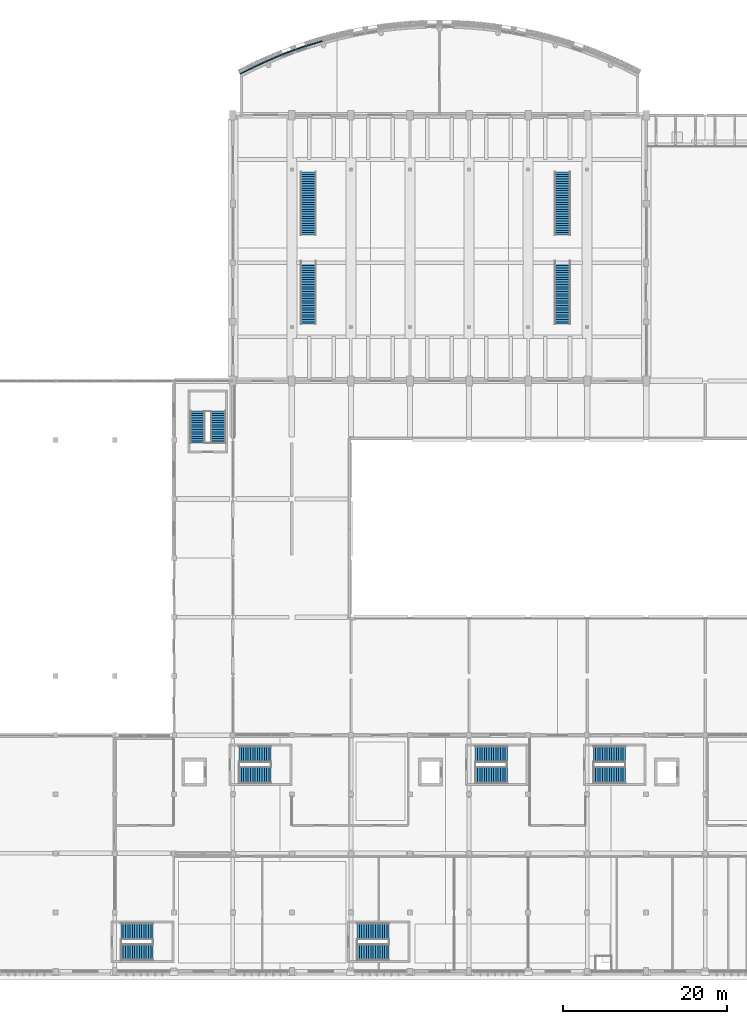
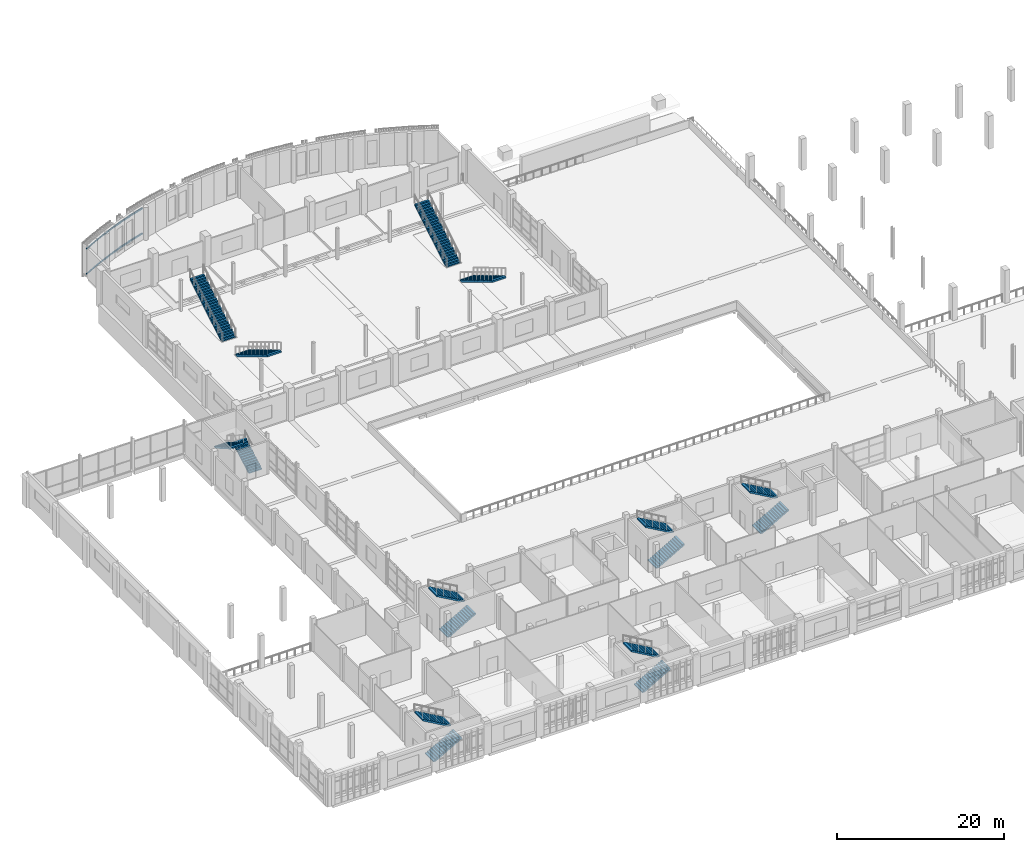
# One storey, part 65 of 82: 16 stair flights, 12 discrete accessories, 10 elements without a shape of their own.
"""IFC4 building model written with IfcOpenShell, lengths in metres."""

from ifc_helpers import new_model, si_unit, direction, frame, origin, place, context, subcontext, project, spatial, polyline, rectangle, outline, extrude, material, type_object, element, aggregate, save


model = new_model("IFC4")

# Units and contexts
model_context = context("Model", 3, precision=1e-05, world=origin(), true_north=direction((0.0, 1.0)))
body_context = subcontext(model_context, "Body", "Model", "MODEL_VIEW")
ifc_project = project(units=[si_unit("LENGTHUNIT", "METRE"), si_unit("AREAUNIT", "SQUARE_METRE"), si_unit("VOLUMEUNIT", "CUBIC_METRE"), si_unit("PLANEANGLEUNIT", "RADIAN"), si_unit("MASSUNIT", "GRAM", prefix="KILO")], contexts=[model_context])

# Site, building, storey
site_placement = place(None, origin())
site = spatial("IfcSite", under=ifc_project, at=site_placement, CompositionType="ELEMENT")
building_placement = place(site_placement, origin())
building = spatial("IfcBuilding", under=site, at=building_placement, Name="Sardonyx Promenade Sports Hall", CompositionType="ELEMENT")
storey_placement = place(building_placement, frame((0.0, 0.0, 11.199951171875)))
storey = spatial("IfcBuildingStorey", under=building, at=storey_placement, Name="L02", CompositionType="ELEMENT", Elevation=11.199951171875)

# Stair, stair flights
ifc_material_1 = material(Name="Concrete C40/50", Category="concrete")
stair_type_1 = type_object("IfcStairType", Name="Stair_Esc_Mid_480", PredefinedType="HALF_TURN_STAIR", material=ifc_material_1)
stair_1_placement = place(storey_placement, origin())
stair_1 = element("IfcStair", 1, at=stair_1_placement, inside=storey, type_object=stair_type_1, Name="Protected escape stair ST1 (L02 to L03)", PredefinedType="HALF_TURN_STAIR")
ifc_material_2 = material(Name="Concrete C40/50", Category="concrete")
stair_flight_type_1 = type_object("IfcStairFlightType", Name="Flt_Esc_480", PredefinedType="STRAIGHT", material=ifc_material_2)
stair_flight_1_placement = place(storey_placement, frame((29.550048828125, 23.925048828125, 0.0), z_axis=(0.0, 0.0, 1.0), x_axis=(1.0, 0.0, 0.0)))
stair_flight_1 = element("IfcStairFlight", 2, at=stair_flight_1_placement, type_object=stair_flight_type_1, Name="Stair ST1 L02 flight 1", NumberOfRisers=15, NumberOfTreads=14, PredefinedType="STRAIGHT", RiserHeight=0.16, TreadLength=0.28, context=body_context, shape_type="SweptSolid", body=[
    extrude(outline(polyline([(0.0, 0.0), (0.0, 0.159912109375), (0.280029296875, 0.159912109375), (0.280029296875, 0.320068359375), (0.56005859375, 0.320068359375), (0.56005859375, 0.47998046875), (0.840087890625, 0.47998046875), (0.840087890625, 0.639892578125), (1.1201171875, 0.639892578125), (1.1201171875, 0.800048828125), (1.39990234375, 0.800048828125), (1.39990234375, 0.9599609375), (1.679931640625, 0.9599609375), (1.679931640625, 1.1201171875), (1.9599609375, 1.1201171875), (1.9599609375, 1.280029296875), (2.239990234375, 1.280029296875), (2.239990234375, 1.43994140625), (2.52001953125, 1.43994140625), (2.52001953125, 1.60009765625), (2.800048828125, 1.60009765625), (2.800048828125, 1.760009765625), (3.080078125, 1.760009765625), (3.080078125, 1.919921875), (3.360107421875, 1.919921875), (3.360107421875, 2.080078125), (3.639892578125, 2.080078125), (3.639892578125, 2.239990234375), (3.919921875, 2.239990234375), (3.919921875, 2.39990234375), (3.919921875, 2.03271484375), (0.362548828125, 0.0), (0.0, 0.0)])), frame((0.0, 1.0, 0.0), z_axis=(0.0, -1.0, 0.0), x_axis=(1.0, 0.0, 0.0)), (0.0, 0.0, 1.0), 2.0),
])
stair_flight_2_placement = place(storey_placement, frame((33.469970703125, 26.47509765625, 2.400146484375), z_axis=(0.0, 0.0, 1.0), x_axis=(-1.0, 0.0, 0.0)))
stair_flight_2 = element("IfcStairFlight", 3, at=stair_flight_2_placement, type_object=stair_flight_type_1, Name="Stair ST1 L02 flight 2", NumberOfRisers=15, NumberOfTreads=14, PredefinedType="STRAIGHT", RiserHeight=0.16, TreadLength=0.28, context=body_context, shape_type="SweptSolid", body=[
    extrude(outline(polyline([(0.0, 0.0), (0.0, 0.159912109375), (0.280029296875, 0.159912109375), (0.280029296875, 0.320068359375), (0.56005859375, 0.320068359375), (0.56005859375, 0.47998046875), (0.840087890625, 0.47998046875), (0.840087890625, 0.639892578125), (1.1201171875, 0.639892578125), (1.1201171875, 0.800048828125), (1.39990234375, 0.800048828125), (1.39990234375, 0.9599609375), (1.679931640625, 0.9599609375), (1.679931640625, 1.1201171875), (1.9599609375, 1.1201171875), (1.9599609375, 1.280029296875), (2.239990234375, 1.280029296875), (2.239990234375, 1.43994140625), (2.52001953125, 1.43994140625), (2.52001953125, 1.60009765625), (2.800048828125, 1.60009765625), (2.800048828125, 1.760009765625), (3.080078125, 1.760009765625), (3.080078125, 1.919921875), (3.360107421875, 1.919921875), (3.360107421875, 2.080078125), (3.639892578125, 2.080078125), (3.639892578125, 2.239990234375), (3.919921875, 2.239990234375), (3.919921875, 2.39990234375), (3.919921875, 2.03271484375), (0.362548828125, 0.0), (0.0, 0.0)])), frame((0.0, 1.0, 0.0), z_axis=(0.0, -1.0, 0.0), x_axis=(1.0, 0.0, 0.0)), (0.0, 0.0, 1.0), 2.0),
])
aggregate(stair_1, [stair_flight_1, stair_flight_2])

stair_2_placement = place(storey_placement, origin())
stair_2 = element("IfcStair", 4, at=stair_2_placement, inside=storey, type_object=stair_type_1, Name="Protected escape stair ST3 (L02 to L03)", PredefinedType="HALF_TURN_STAIR")
stair_flight_3_placement = place(storey_placement, frame((58.35009765625, 23.925048828125, 0.0), z_axis=(0.0, 0.0, 1.0), x_axis=(1.0, 0.0, 0.0)))
stair_flight_3 = element("IfcStairFlight", 5, at=stair_flight_3_placement, type_object=stair_flight_type_1, Name="Stair ST3 L02 flight 1", NumberOfRisers=15, NumberOfTreads=14, PredefinedType="STRAIGHT", RiserHeight=0.16, TreadLength=0.28, context=body_context, shape_type="SweptSolid", body=[
    extrude(outline(polyline([(0.0, 0.0), (0.0, 0.159912109375), (0.280029296875, 0.159912109375), (0.280029296875, 0.320068359375), (0.56005859375, 0.320068359375), (0.56005859375, 0.47998046875), (0.840087890625, 0.47998046875), (0.840087890625, 0.639892578125), (1.1201171875, 0.639892578125), (1.1201171875, 0.800048828125), (1.39990234375, 0.800048828125), (1.39990234375, 0.9599609375), (1.679931640625, 0.9599609375), (1.679931640625, 1.1201171875), (1.9599609375, 1.1201171875), (1.9599609375, 1.280029296875), (2.239990234375, 1.280029296875), (2.239990234375, 1.43994140625), (2.52001953125, 1.43994140625), (2.52001953125, 1.60009765625), (2.800048828125, 1.60009765625), (2.800048828125, 1.760009765625), (3.080078125, 1.760009765625), (3.080078125, 1.919921875), (3.360107421875, 1.919921875), (3.360107421875, 2.080078125), (3.639892578125, 2.080078125), (3.639892578125, 2.239990234375), (3.919921875, 2.239990234375), (3.919921875, 2.39990234375), (3.919921875, 2.03271484375), (0.362548828125, 0.0), (0.0, 0.0)])), frame((0.0, 1.0, 0.0), z_axis=(0.0, -1.0, 0.0), x_axis=(1.0, 0.0, 0.0)), (0.0, 0.0, 1.0), 2.0),
])
stair_flight_4_placement = place(storey_placement, frame((62.27001953125, 26.47509765625, 2.400146484375), z_axis=(0.0, 0.0, 1.0), x_axis=(-1.0, 0.0, 0.0)))
stair_flight_4 = element("IfcStairFlight", 6, at=stair_flight_4_placement, type_object=stair_flight_type_1, Name="Stair ST3 L02 flight 2", NumberOfRisers=15, NumberOfTreads=14, PredefinedType="STRAIGHT", RiserHeight=0.16, TreadLength=0.28, context=body_context, shape_type="SweptSolid", body=[
    extrude(outline(polyline([(0.0, 0.0), (0.0, 0.159912109375), (0.280029296875, 0.159912109375), (0.280029296875, 0.320068359375), (0.56005859375, 0.320068359375), (0.56005859375, 0.47998046875), (0.840087890625, 0.47998046875), (0.840087890625, 0.639892578125), (1.1201171875, 0.639892578125), (1.1201171875, 0.800048828125), (1.39990234375, 0.800048828125), (1.39990234375, 0.9599609375), (1.679931640625, 0.9599609375), (1.679931640625, 1.1201171875), (1.9599609375, 1.1201171875), (1.9599609375, 1.280029296875), (2.239990234375, 1.280029296875), (2.239990234375, 1.43994140625), (2.52001953125, 1.43994140625), (2.52001953125, 1.60009765625), (2.800048828125, 1.60009765625), (2.800048828125, 1.760009765625), (3.080078125, 1.760009765625), (3.080078125, 1.919921875), (3.360107421875, 1.919921875), (3.360107421875, 2.080078125), (3.639892578125, 2.080078125), (3.639892578125, 2.239990234375), (3.919921875, 2.239990234375), (3.919921875, 2.39990234375), (3.919921875, 2.03271484375), (0.362548828125, 0.0), (0.0, 0.0)])), frame((0.0, 1.0, 0.0), z_axis=(0.0, -1.0, 0.0), x_axis=(1.0, 0.0, 0.0)), (0.0, 0.0, 1.0), 2.0),
])
aggregate(stair_2, [stair_flight_3, stair_flight_4])

stair_3_placement = place(storey_placement, origin())
stair_3 = element("IfcStair", 7, at=stair_3_placement, inside=storey, type_object=stair_type_1, Name="Protected escape stair ST4 (L02 to L03)", PredefinedType="HALF_TURN_STAIR")
stair_flight_5_placement = place(storey_placement, frame((72.75, 23.925048828125, 0.0), z_axis=(0.0, 0.0, 1.0), x_axis=(1.0, 0.0, 0.0)))
stair_flight_5 = element("IfcStairFlight", 8, at=stair_flight_5_placement, type_object=stair_flight_type_1, Name="Stair ST4 L02 flight 1", NumberOfRisers=15, NumberOfTreads=14, PredefinedType="STRAIGHT", RiserHeight=0.16, TreadLength=0.28, context=body_context, shape_type="SweptSolid", body=[
    extrude(outline(polyline([(0.0, 0.0), (0.0, 0.159912109375), (0.280029296875, 0.159912109375), (0.280029296875, 0.320068359375), (0.56005859375, 0.320068359375), (0.56005859375, 0.47998046875), (0.840087890625, 0.47998046875), (0.840087890625, 0.639892578125), (1.1201171875, 0.639892578125), (1.1201171875, 0.800048828125), (1.39990234375, 0.800048828125), (1.39990234375, 0.9599609375), (1.679931640625, 0.9599609375), (1.679931640625, 1.1201171875), (1.9599609375, 1.1201171875), (1.9599609375, 1.280029296875), (2.239990234375, 1.280029296875), (2.239990234375, 1.43994140625), (2.52001953125, 1.43994140625), (2.52001953125, 1.60009765625), (2.800048828125, 1.60009765625), (2.800048828125, 1.760009765625), (3.080078125, 1.760009765625), (3.080078125, 1.919921875), (3.360107421875, 1.919921875), (3.360107421875, 2.080078125), (3.639892578125, 2.080078125), (3.639892578125, 2.239990234375), (3.919921875, 2.239990234375), (3.919921875, 2.39990234375), (3.919921875, 2.03271484375), (0.362548828125, 0.0), (0.0, 0.0)])), frame((0.0, 1.0, 0.0), z_axis=(0.0, -1.0, 0.0), x_axis=(1.0, 0.0, 0.0)), (0.0, 0.0, 1.0), 2.0),
])
stair_flight_6_placement = place(storey_placement, frame((76.669921875, 26.47509765625, 2.400146484375), z_axis=(0.0, 0.0, 1.0), x_axis=(-1.0, 0.0, 0.0)))
stair_flight_6 = element("IfcStairFlight", 9, at=stair_flight_6_placement, type_object=stair_flight_type_1, Name="Stair ST4 L02 flight 2", NumberOfRisers=15, NumberOfTreads=14, PredefinedType="STRAIGHT", RiserHeight=0.16, TreadLength=0.28, context=body_context, shape_type="SweptSolid", body=[
    extrude(outline(polyline([(0.0, 0.0), (0.0, 0.159912109375), (0.280029296875, 0.159912109375), (0.280029296875, 0.320068359375), (0.56005859375, 0.320068359375), (0.56005859375, 0.47998046875), (0.840087890625, 0.47998046875), (0.840087890625, 0.639892578125), (1.1201171875, 0.639892578125), (1.1201171875, 0.800048828125), (1.39990234375, 0.800048828125), (1.39990234375, 0.9599609375), (1.679931640625, 0.9599609375), (1.679931640625, 1.1201171875), (1.9599609375, 1.1201171875), (1.9599609375, 1.280029296875), (2.239990234375, 1.280029296875), (2.239990234375, 1.43994140625), (2.52001953125, 1.43994140625), (2.52001953125, 1.60009765625), (2.800048828125, 1.60009765625), (2.800048828125, 1.760009765625), (3.080078125, 1.760009765625), (3.080078125, 1.919921875), (3.360107421875, 1.919921875), (3.360107421875, 2.080078125), (3.639892578125, 2.080078125), (3.639892578125, 2.239990234375), (3.919921875, 2.239990234375), (3.919921875, 2.39990234375), (3.919921875, 2.03271484375), (0.362548828125, 0.0), (0.0, 0.0)])), frame((0.0, 1.0, 0.0), z_axis=(0.0, -1.0, 0.0), x_axis=(1.0, 0.0, 0.0)), (0.0, 0.0, 1.0), 2.0),
])
aggregate(stair_3, [stair_flight_5, stair_flight_6])

stair_4_placement = place(storey_placement, origin())
stair_4 = element("IfcStair", 10, at=stair_4_placement, inside=storey, type_object=stair_type_1, Name="Protected escape stair ST5 (L02 to L03)", PredefinedType="HALF_TURN_STAIR")
stair_flight_7_placement = place(storey_placement, frame((15.14990234375, 2.324951171875, 0.0), z_axis=(0.0, 0.0, 1.0), x_axis=(1.0, 0.0, 0.0)))
stair_flight_7 = element("IfcStairFlight", 11, at=stair_flight_7_placement, type_object=stair_flight_type_1, Name="Stair ST5 L02 flight 1", NumberOfRisers=15, NumberOfTreads=14, PredefinedType="STRAIGHT", RiserHeight=0.16, TreadLength=0.28, context=body_context, shape_type="SweptSolid", body=[
    extrude(outline(polyline([(0.0, 0.0), (0.0, 0.159912109375), (0.280029296875, 0.159912109375), (0.280029296875, 0.320068359375), (0.56005859375, 0.320068359375), (0.56005859375, 0.47998046875), (0.840087890625, 0.47998046875), (0.840087890625, 0.639892578125), (1.1201171875, 0.639892578125), (1.1201171875, 0.800048828125), (1.39990234375, 0.800048828125), (1.39990234375, 0.9599609375), (1.679931640625, 0.9599609375), (1.679931640625, 1.1201171875), (1.9599609375, 1.1201171875), (1.9599609375, 1.280029296875), (2.239990234375, 1.280029296875), (2.239990234375, 1.43994140625), (2.52001953125, 1.43994140625), (2.52001953125, 1.60009765625), (2.800048828125, 1.60009765625), (2.800048828125, 1.760009765625), (3.080078125, 1.760009765625), (3.080078125, 1.919921875), (3.360107421875, 1.919921875), (3.360107421875, 2.080078125), (3.639892578125, 2.080078125), (3.639892578125, 2.239990234375), (3.919921875, 2.239990234375), (3.919921875, 2.39990234375), (3.919921875, 2.03271484375), (0.362548828125, 0.0), (0.0, 0.0)])), frame((0.0, 1.0, 0.0), z_axis=(0.0, -1.0, 0.0), x_axis=(1.0, 0.0, 0.0)), (0.0, 0.0, 1.0), 2.0),
])
stair_flight_8_placement = place(storey_placement, frame((19.070068359375, 4.875, 2.400146484375), z_axis=(0.0, 0.0, 1.0), x_axis=(-1.0, 0.0, 0.0)))
stair_flight_8 = element("IfcStairFlight", 12, at=stair_flight_8_placement, type_object=stair_flight_type_1, Name="Stair ST5 L02 flight 2", NumberOfRisers=15, NumberOfTreads=14, PredefinedType="STRAIGHT", RiserHeight=0.16, TreadLength=0.28, context=body_context, shape_type="SweptSolid", body=[
    extrude(outline(polyline([(0.0, 0.0), (0.0, 0.159912109375), (0.280029296875, 0.159912109375), (0.280029296875, 0.320068359375), (0.56005859375, 0.320068359375), (0.56005859375, 0.47998046875), (0.840087890625, 0.47998046875), (0.840087890625, 0.639892578125), (1.1201171875, 0.639892578125), (1.1201171875, 0.800048828125), (1.39990234375, 0.800048828125), (1.39990234375, 0.9599609375), (1.679931640625, 0.9599609375), (1.679931640625, 1.1201171875), (1.9599609375, 1.1201171875), (1.9599609375, 1.280029296875), (2.239990234375, 1.280029296875), (2.239990234375, 1.43994140625), (2.52001953125, 1.43994140625), (2.52001953125, 1.60009765625), (2.800048828125, 1.60009765625), (2.800048828125, 1.760009765625), (3.080078125, 1.760009765625), (3.080078125, 1.919921875), (3.360107421875, 1.919921875), (3.360107421875, 2.080078125), (3.639892578125, 2.080078125), (3.639892578125, 2.239990234375), (3.919921875, 2.239990234375), (3.919921875, 2.39990234375), (3.919921875, 2.03271484375), (0.362548828125, 0.0), (0.0, 0.0)])), frame((0.0, 1.0, 0.0), z_axis=(0.0, -1.0, 0.0), x_axis=(1.0, 0.0, 0.0)), (0.0, 0.0, 1.0), 2.0),
])
aggregate(stair_4, [stair_flight_7, stair_flight_8])

stair_5_placement = place(storey_placement, origin())
stair_5 = element("IfcStair", 13, at=stair_5_placement, inside=storey, type_object=stair_type_1, Name="Protected escape stair ST6 (L02 to L03)", PredefinedType="HALF_TURN_STAIR")
stair_flight_9_placement = place(storey_placement, frame((43.949951171875, 2.324951171875, 0.0), z_axis=(0.0, 0.0, 1.0), x_axis=(1.0, 0.0, 0.0)))
stair_flight_9 = element("IfcStairFlight", 14, at=stair_flight_9_placement, type_object=stair_flight_type_1, Name="Stair ST6 L02 flight 1", NumberOfRisers=15, NumberOfTreads=14, PredefinedType="STRAIGHT", RiserHeight=0.16, TreadLength=0.28, context=body_context, shape_type="SweptSolid", body=[
    extrude(outline(polyline([(0.0, 0.0), (0.0, 0.159912109375), (0.280029296875, 0.159912109375), (0.280029296875, 0.320068359375), (0.56005859375, 0.320068359375), (0.56005859375, 0.47998046875), (0.840087890625, 0.47998046875), (0.840087890625, 0.639892578125), (1.1201171875, 0.639892578125), (1.1201171875, 0.800048828125), (1.39990234375, 0.800048828125), (1.39990234375, 0.9599609375), (1.679931640625, 0.9599609375), (1.679931640625, 1.1201171875), (1.9599609375, 1.1201171875), (1.9599609375, 1.280029296875), (2.239990234375, 1.280029296875), (2.239990234375, 1.43994140625), (2.52001953125, 1.43994140625), (2.52001953125, 1.60009765625), (2.800048828125, 1.60009765625), (2.800048828125, 1.760009765625), (3.080078125, 1.760009765625), (3.080078125, 1.919921875), (3.360107421875, 1.919921875), (3.360107421875, 2.080078125), (3.639892578125, 2.080078125), (3.639892578125, 2.239990234375), (3.919921875, 2.239990234375), (3.919921875, 2.39990234375), (3.919921875, 2.03271484375), (0.362548828125, 0.0), (0.0, 0.0)])), frame((0.0, 1.0, 0.0), z_axis=(0.0, -1.0, 0.0), x_axis=(1.0, 0.0, 0.0)), (0.0, 0.0, 1.0), 2.0),
])
stair_flight_10_placement = place(storey_placement, frame((47.8701171875, 4.875, 2.400146484375), z_axis=(0.0, 0.0, 1.0), x_axis=(-1.0, 0.0, 0.0)))
stair_flight_10 = element("IfcStairFlight", 15, at=stair_flight_10_placement, type_object=stair_flight_type_1, Name="Stair ST6 L02 flight 2", NumberOfRisers=15, NumberOfTreads=14, PredefinedType="STRAIGHT", RiserHeight=0.16, TreadLength=0.28, context=body_context, shape_type="SweptSolid", body=[
    extrude(outline(polyline([(0.0, 0.0), (0.0, 0.159912109375), (0.280029296875, 0.159912109375), (0.280029296875, 0.320068359375), (0.56005859375, 0.320068359375), (0.56005859375, 0.47998046875), (0.840087890625, 0.47998046875), (0.840087890625, 0.639892578125), (1.1201171875, 0.639892578125), (1.1201171875, 0.800048828125), (1.39990234375, 0.800048828125), (1.39990234375, 0.9599609375), (1.679931640625, 0.9599609375), (1.679931640625, 1.1201171875), (1.9599609375, 1.1201171875), (1.9599609375, 1.280029296875), (2.239990234375, 1.280029296875), (2.239990234375, 1.43994140625), (2.52001953125, 1.43994140625), (2.52001953125, 1.60009765625), (2.800048828125, 1.60009765625), (2.800048828125, 1.760009765625), (3.080078125, 1.760009765625), (3.080078125, 1.919921875), (3.360107421875, 1.919921875), (3.360107421875, 2.080078125), (3.639892578125, 2.080078125), (3.639892578125, 2.239990234375), (3.919921875, 2.239990234375), (3.919921875, 2.39990234375), (3.919921875, 2.03271484375), (0.362548828125, 0.0), (0.0, 0.0)])), frame((0.0, 1.0, 0.0), z_axis=(0.0, -1.0, 0.0), x_axis=(1.0, 0.0, 0.0)), (0.0, 0.0, 1.0), 2.0),
])
aggregate(stair_5, [stair_flight_9, stair_flight_10])

stair_6_placement = place(storey_placement, origin())
stair_6 = element("IfcStair", 16, at=stair_6_placement, inside=storey, type_object=stair_type_1, Name="Protected escape stair ST7 (L02 to L03)", PredefinedType="HALF_TURN_STAIR")
stair_flight_11_placement = place(storey_placement, frame((27.02490234375, 64.39990234375, 0.0), z_axis=(0.0, 0.0, 1.0), x_axis=(0.0, 1.0, 0.0)))
stair_flight_11 = element("IfcStairFlight", 17, at=stair_flight_11_placement, type_object=stair_flight_type_1, Name="Stair ST7 L02 flight 1", NumberOfRisers=15, NumberOfTreads=14, PredefinedType="STRAIGHT", RiserHeight=0.16, TreadLength=0.28, context=body_context, shape_type="SweptSolid", body=[
    extrude(outline(polyline([(0.0, 0.0), (0.0, 0.159912109375), (0.280029296875, 0.159912109375), (0.280029296875, 0.320068359375), (0.56005859375, 0.320068359375), (0.56005859375, 0.47998046875), (0.840087890625, 0.47998046875), (0.840087890625, 0.639892578125), (1.1201171875, 0.639892578125), (1.1201171875, 0.800048828125), (1.39990234375, 0.800048828125), (1.39990234375, 0.9599609375), (1.679931640625, 0.9599609375), (1.679931640625, 1.1201171875), (1.9599609375, 1.1201171875), (1.9599609375, 1.280029296875), (2.239990234375, 1.280029296875), (2.239990234375, 1.43994140625), (2.52001953125, 1.43994140625), (2.52001953125, 1.60009765625), (2.800048828125, 1.60009765625), (2.800048828125, 1.760009765625), (3.080078125, 1.760009765625), (3.080078125, 1.919921875), (3.360107421875, 1.919921875), (3.360107421875, 2.080078125), (3.639892578125, 2.080078125), (3.639892578125, 2.239990234375), (3.919921875, 2.239990234375), (3.919921875, 2.39990234375), (3.919921875, 2.03271484375), (0.362548828125, 0.0), (0.0, 0.0)])), frame((0.0, 0.89990234375, 0.0), z_axis=(0.0, -1.0, 0.0), x_axis=(1.0, 0.0, 0.0)), (0.0, 0.0, 1.0), 1.800048828125),
])
stair_flight_12_placement = place(storey_placement, frame((24.47509765625, 68.320068359375, 2.400146484375), z_axis=(0.0, 0.0, 1.0), x_axis=(0.0, -1.0, 0.0)))
stair_flight_12 = element("IfcStairFlight", 18, at=stair_flight_12_placement, type_object=stair_flight_type_1, Name="Stair ST7 L02 flight 2", NumberOfRisers=15, NumberOfTreads=14, PredefinedType="STRAIGHT", RiserHeight=0.16, TreadLength=0.28, context=body_context, shape_type="SweptSolid", body=[
    extrude(outline(polyline([(0.0, 0.0), (0.0, 0.159912109375), (0.280029296875, 0.159912109375), (0.280029296875, 0.320068359375), (0.56005859375, 0.320068359375), (0.56005859375, 0.47998046875), (0.840087890625, 0.47998046875), (0.840087890625, 0.639892578125), (1.1201171875, 0.639892578125), (1.1201171875, 0.800048828125), (1.39990234375, 0.800048828125), (1.39990234375, 0.9599609375), (1.679931640625, 0.9599609375), (1.679931640625, 1.1201171875), (1.9599609375, 1.1201171875), (1.9599609375, 1.280029296875), (2.239990234375, 1.280029296875), (2.239990234375, 1.43994140625), (2.52001953125, 1.43994140625), (2.52001953125, 1.60009765625), (2.800048828125, 1.60009765625), (2.800048828125, 1.760009765625), (3.080078125, 1.760009765625), (3.080078125, 1.919921875), (3.360107421875, 1.919921875), (3.360107421875, 2.080078125), (3.639892578125, 2.080078125), (3.639892578125, 2.239990234375), (3.919921875, 2.239990234375), (3.919921875, 2.39990234375), (3.919921875, 2.03271484375), (0.362548828125, 0.0), (0.0, 0.0)])), frame((0.0, 0.89990234375, 0.0), z_axis=(0.0, -1.0, 0.0), x_axis=(1.0, 0.0, 0.0)), (0.0, 0.0, 1.0), 1.800048828125),
])
aggregate(stair_6, [stair_flight_11, stair_flight_12])

# Stair, stair flight
ifc_material_3 = material(Name="Concrete C40/50", Category="concrete")
stair_type_2 = type_object("IfcStairType", Name="Stair_Vom_Arena_480", PredefinedType="STRAIGHT_RUN_STAIR", material=ifc_material_3)
stair_7_placement = place(storey_placement, origin())
stair_7 = element("IfcStair", 19, at=stair_7_placement, inside=storey, type_object=stair_type_2, Name="Feature straight stair STV1 (L02 to L03)", PredefinedType="STRAIGHT_RUN_STAIR")
ifc_material_4 = material(Name="Concrete C40/50", Category="concrete")
stair_flight_type_2 = type_object("IfcStairFlightType", Name="Flt_Vom_480", PredefinedType="STRAIGHT", material=ifc_material_4)
stair_flight_13_placement = place(storey_placement, frame((38.0, 86.614990234375, 0.0), z_axis=(0.0, 0.0, 1.0), x_axis=(0.0, -1.0, 0.0)))
stair_flight_13 = element("IfcStairFlight", 20, at=stair_flight_13_placement, type_object=stair_flight_type_2, Name="Feature stair flight STV1", NumberOfRisers=28, NumberOfTreads=27, PredefinedType="STRAIGHT", RiserHeight=0.171429, TreadLength=0.285, context=body_context, shape_type="SweptSolid", body=[
    extrude(outline(polyline([(0.0, 0.0), (0.0, 0.17138671875), (0.284912109375, 0.17138671875), (0.284912109375, 0.3427734375), (0.570068359375, 0.3427734375), (0.570068359375, 0.514404296875), (0.85498046875, 0.514404296875), (0.85498046875, 0.685791015625), (1.139892578125, 0.685791015625), (1.139892578125, 0.857177734375), (1.425048828125, 0.857177734375), (1.425048828125, 1.028564453125), (1.7099609375, 1.028564453125), (1.7099609375, 1.199951171875), (1.9951171875, 1.199951171875), (1.9951171875, 1.371337890625), (2.280029296875, 1.371337890625), (2.280029296875, 1.54296875), (2.56494140625, 1.54296875), (2.56494140625, 1.71435546875), (2.85009765625, 1.71435546875), (2.85009765625, 1.8857421875), (3.135009765625, 1.8857421875), (3.135009765625, 2.05712890625), (3.419921875, 2.05712890625), (3.419921875, 2.228515625), (3.705078125, 2.228515625), (3.705078125, 2.39990234375), (3.989990234375, 2.39990234375), (3.989990234375, 2.571533203125), (4.27490234375, 2.571533203125), (4.27490234375, 2.742919921875), (4.56005859375, 2.742919921875), (4.56005859375, 2.914306640625), (4.844970703125, 2.914306640625), (4.844970703125, 3.085693359375), (5.1298828125, 3.085693359375), (5.1298828125, 3.257080078125), (5.4150390625, 3.257080078125), (5.4150390625, 3.428466796875), (5.699951171875, 3.428466796875), (5.699951171875, 3.60009765625), (5.985107421875, 3.60009765625), (5.985107421875, 3.771484375), (6.27001953125, 3.771484375), (6.27001953125, 3.94287109375), (6.554931640625, 3.94287109375), (6.554931640625, 4.1142578125), (6.840087890625, 4.1142578125), (6.840087890625, 4.28564453125), (7.125, 4.28564453125), (7.125, 4.457275390625), (7.409912109375, 4.457275390625), (7.409912109375, 4.628662109375), (7.695068359375, 4.628662109375), (7.695068359375, 4.800048828125), (7.695068359375, 4.371826171875), (0.4267578125, 0.0), (0.0, 0.0)])), frame((0.0, 0.949951171875, 0.0), z_axis=(0.0, -1.0, 0.0), x_axis=(1.0, 0.0, 0.0)), (0.0, 0.0, 1.0), 1.89990234375),
])
aggregate(stair_7, [stair_flight_13])

stair_8_placement = place(storey_placement, origin())
stair_8 = element("IfcStair", 21, at=stair_8_placement, inside=storey, type_object=stair_type_2, Name="Feature straight stair STV2 (L02 to L03)", PredefinedType="STRAIGHT_RUN_STAIR")
stair_flight_14_placement = place(storey_placement, frame((69.0, 86.614990234375, 0.0), z_axis=(0.0, 0.0, 1.0), x_axis=(0.0, -1.0, 0.0)))
stair_flight_14 = element("IfcStairFlight", 22, at=stair_flight_14_placement, type_object=stair_flight_type_2, Name="Feature stair flight STV2", NumberOfRisers=28, NumberOfTreads=27, PredefinedType="STRAIGHT", RiserHeight=0.171429, TreadLength=0.285, context=body_context, shape_type="SweptSolid", body=[
    extrude(outline(polyline([(0.0, 0.0), (0.0, 0.17138671875), (0.284912109375, 0.17138671875), (0.284912109375, 0.3427734375), (0.570068359375, 0.3427734375), (0.570068359375, 0.514404296875), (0.85498046875, 0.514404296875), (0.85498046875, 0.685791015625), (1.139892578125, 0.685791015625), (1.139892578125, 0.857177734375), (1.425048828125, 0.857177734375), (1.425048828125, 1.028564453125), (1.7099609375, 1.028564453125), (1.7099609375, 1.199951171875), (1.9951171875, 1.199951171875), (1.9951171875, 1.371337890625), (2.280029296875, 1.371337890625), (2.280029296875, 1.54296875), (2.56494140625, 1.54296875), (2.56494140625, 1.71435546875), (2.85009765625, 1.71435546875), (2.85009765625, 1.8857421875), (3.135009765625, 1.8857421875), (3.135009765625, 2.05712890625), (3.419921875, 2.05712890625), (3.419921875, 2.228515625), (3.705078125, 2.228515625), (3.705078125, 2.39990234375), (3.989990234375, 2.39990234375), (3.989990234375, 2.571533203125), (4.27490234375, 2.571533203125), (4.27490234375, 2.742919921875), (4.56005859375, 2.742919921875), (4.56005859375, 2.914306640625), (4.844970703125, 2.914306640625), (4.844970703125, 3.085693359375), (5.1298828125, 3.085693359375), (5.1298828125, 3.257080078125), (5.4150390625, 3.257080078125), (5.4150390625, 3.428466796875), (5.699951171875, 3.428466796875), (5.699951171875, 3.60009765625), (5.985107421875, 3.60009765625), (5.985107421875, 3.771484375), (6.27001953125, 3.771484375), (6.27001953125, 3.94287109375), (6.554931640625, 3.94287109375), (6.554931640625, 4.1142578125), (6.840087890625, 4.1142578125), (6.840087890625, 4.28564453125), (7.125, 4.28564453125), (7.125, 4.457275390625), (7.409912109375, 4.457275390625), (7.409912109375, 4.628662109375), (7.695068359375, 4.628662109375), (7.695068359375, 4.800048828125), (7.695068359375, 4.371826171875), (0.4267578125, 0.0), (0.0, 0.0)])), frame((0.0, 0.949951171875, 0.0), z_axis=(0.0, -1.0, 0.0), x_axis=(1.0, 0.0, 0.0)), (0.0, 0.0, 1.0), 1.89990234375),
])
aggregate(stair_8, [stair_flight_14])

stair_9_placement = place(storey_placement, origin())
stair_9 = element("IfcStair", 23, at=stair_9_placement, inside=storey, type_object=stair_type_2, Name="Feature straight stair STV3 (L02 to L03)", PredefinedType="STRAIGHT_RUN_STAIR")
stair_flight_15_placement = place(storey_placement, frame((38.0, 89.784912109375, 0.0), z_axis=(0.0, 0.0, 1.0), x_axis=(0.0, 1.0, 0.0)))
stair_flight_15 = element("IfcStairFlight", 24, at=stair_flight_15_placement, type_object=stair_flight_type_2, Name="Feature stair flight STV3", NumberOfRisers=28, NumberOfTreads=27, PredefinedType="STRAIGHT", RiserHeight=0.171429, TreadLength=0.285, context=body_context, shape_type="SweptSolid", body=[
    extrude(outline(polyline([(0.0, 0.0), (0.0, 0.17138671875), (0.284912109375, 0.17138671875), (0.284912109375, 0.3427734375), (0.570068359375, 0.3427734375), (0.570068359375, 0.514404296875), (0.85498046875, 0.514404296875), (0.85498046875, 0.685791015625), (1.139892578125, 0.685791015625), (1.139892578125, 0.857177734375), (1.425048828125, 0.857177734375), (1.425048828125, 1.028564453125), (1.7099609375, 1.028564453125), (1.7099609375, 1.199951171875), (1.9951171875, 1.199951171875), (1.9951171875, 1.371337890625), (2.280029296875, 1.371337890625), (2.280029296875, 1.54296875), (2.56494140625, 1.54296875), (2.56494140625, 1.71435546875), (2.85009765625, 1.71435546875), (2.85009765625, 1.8857421875), (3.135009765625, 1.8857421875), (3.135009765625, 2.05712890625), (3.419921875, 2.05712890625), (3.419921875, 2.228515625), (3.705078125, 2.228515625), (3.705078125, 2.39990234375), (3.989990234375, 2.39990234375), (3.989990234375, 2.571533203125), (4.27490234375, 2.571533203125), (4.27490234375, 2.742919921875), (4.56005859375, 2.742919921875), (4.56005859375, 2.914306640625), (4.844970703125, 2.914306640625), (4.844970703125, 3.085693359375), (5.1298828125, 3.085693359375), (5.1298828125, 3.257080078125), (5.4150390625, 3.257080078125), (5.4150390625, 3.428466796875), (5.699951171875, 3.428466796875), (5.699951171875, 3.60009765625), (5.985107421875, 3.60009765625), (5.985107421875, 3.771484375), (6.27001953125, 3.771484375), (6.27001953125, 3.94287109375), (6.554931640625, 3.94287109375), (6.554931640625, 4.1142578125), (6.840087890625, 4.1142578125), (6.840087890625, 4.28564453125), (7.125, 4.28564453125), (7.125, 4.457275390625), (7.409912109375, 4.457275390625), (7.409912109375, 4.628662109375), (7.695068359375, 4.628662109375), (7.695068359375, 4.800048828125), (7.695068359375, 4.371826171875), (0.4267578125, 0.0), (0.0, 0.0)])), frame((0.0, 0.949951171875, 0.0), z_axis=(0.0, -1.0, 0.0), x_axis=(1.0, 0.0, 0.0)), (0.0, 0.0, 1.0), 1.89990234375),
])
aggregate(stair_9, [stair_flight_15])

stair_10_placement = place(storey_placement, origin())
stair_10 = element("IfcStair", 25, at=stair_10_placement, inside=storey, type_object=stair_type_2, Name="Feature straight stair STV4 (L02 to L03)", PredefinedType="STRAIGHT_RUN_STAIR")
stair_flight_16_placement = place(storey_placement, frame((69.0, 89.784912109375, 0.0), z_axis=(0.0, 0.0, 1.0), x_axis=(0.0, 1.0, 0.0)))
stair_flight_16 = element("IfcStairFlight", 26, at=stair_flight_16_placement, type_object=stair_flight_type_2, Name="Feature stair flight STV4", NumberOfRisers=28, NumberOfTreads=27, PredefinedType="STRAIGHT", RiserHeight=0.171429, TreadLength=0.285, context=body_context, shape_type="SweptSolid", body=[
    extrude(outline(polyline([(0.0, 0.0), (0.0, 0.17138671875), (0.284912109375, 0.17138671875), (0.284912109375, 0.3427734375), (0.570068359375, 0.3427734375), (0.570068359375, 0.514404296875), (0.85498046875, 0.514404296875), (0.85498046875, 0.685791015625), (1.139892578125, 0.685791015625), (1.139892578125, 0.857177734375), (1.425048828125, 0.857177734375), (1.425048828125, 1.028564453125), (1.7099609375, 1.028564453125), (1.7099609375, 1.199951171875), (1.9951171875, 1.199951171875), (1.9951171875, 1.371337890625), (2.280029296875, 1.371337890625), (2.280029296875, 1.54296875), (2.56494140625, 1.54296875), (2.56494140625, 1.71435546875), (2.85009765625, 1.71435546875), (2.85009765625, 1.8857421875), (3.135009765625, 1.8857421875), (3.135009765625, 2.05712890625), (3.419921875, 2.05712890625), (3.419921875, 2.228515625), (3.705078125, 2.228515625), (3.705078125, 2.39990234375), (3.989990234375, 2.39990234375), (3.989990234375, 2.571533203125), (4.27490234375, 2.571533203125), (4.27490234375, 2.742919921875), (4.56005859375, 2.742919921875), (4.56005859375, 2.914306640625), (4.844970703125, 2.914306640625), (4.844970703125, 3.085693359375), (5.1298828125, 3.085693359375), (5.1298828125, 3.257080078125), (5.4150390625, 3.257080078125), (5.4150390625, 3.428466796875), (5.699951171875, 3.428466796875), (5.699951171875, 3.60009765625), (5.985107421875, 3.60009765625), (5.985107421875, 3.771484375), (6.27001953125, 3.771484375), (6.27001953125, 3.94287109375), (6.554931640625, 3.94287109375), (6.554931640625, 4.1142578125), (6.840087890625, 4.1142578125), (6.840087890625, 4.28564453125), (7.125, 4.28564453125), (7.125, 4.457275390625), (7.409912109375, 4.457275390625), (7.409912109375, 4.628662109375), (7.695068359375, 4.628662109375), (7.695068359375, 4.800048828125), (7.695068359375, 4.371826171875), (0.4267578125, 0.0), (0.0, 0.0)])), frame((0.0, 0.949951171875, 0.0), z_axis=(0.0, -1.0, 0.0), x_axis=(1.0, 0.0, 0.0)), (0.0, 0.0, 1.0), 1.89990234375),
])
aggregate(stair_10, [stair_flight_16])

# Discrete accessories
ifc_material_5 = material(Name="Steel S355JR", Category="steel")
discrete_accessory_type = type_object("IfcDiscreteAccessoryType", Name="Acc_Bracket_S355", PredefinedType="BRACKET", material=ifc_material_5)
for number, where, z_axis, x_axis, name in (
    (27, (30.469122, 109.831552, 0.510049), (0.0, 0.0, 1.0), (0.89277382, 0.45050517, 0.0), "Facade outrigger bracket CH01 L02 #1"),
    (28, (30.469122, 109.831552, 4.170049), (0.0, 0.0, 1.0), (0.89277382, 0.45050517, 0.0), "Facade outrigger bracket CH01 L02 #2"),
    (29, (32.097147, 110.618023, 0.510049), (0.0, 0.0, 1.0), (0.90783091, 0.41933642, 0.0), "Facade outrigger bracket CH02 L02 #1"),
    (30, (32.097147, 110.618023, 4.170049), (0.0, 0.0, 1.0), (0.90783091, 0.41933642, 0.0), "Facade outrigger bracket CH02 L02 #2"),
    (31, (33.751417, 111.347677, 0.510049), (0.0, 0.0, 1.0), (0.92180024, 0.38766521, 0.0), "Facade outrigger bracket CH03 L02 #1"),
    (32, (33.751417, 111.347677, 4.170049), (0.0, 0.0, 1.0), (0.92180024, 0.38766521, 0.0), "Facade outrigger bracket CH03 L02 #2"),
    (33, (35.429949, 112.019638, 0.510049), (0.0, 0.0, 1.0), (0.93466568, 0.35552787, 0.0), "Facade outrigger bracket CH04 L02 #1"),
    (34, (35.429949, 112.019638, 4.170049), (0.0, 0.0, 1.0), (0.93466568, 0.35552787, 0.0), "Facade outrigger bracket CH04 L02 #2"),
    (35, (37.130732, 112.633102, 0.510049), (0.0, 0.0, 1.0), (0.94641052, 0.32296615, 0.0), "Facade outrigger bracket CH05 L02 #1"),
    (36, (37.130732, 112.633102, 4.170049), (0.0, 0.0, 1.0), (0.94641052, 0.32296615, 0.0), "Facade outrigger bracket CH05 L02 #2"),
    (37, (38.851728, 113.187335, 0.510049), (0.0, 0.0, 1.0), (0.95702136, 0.29001744, 0.0), "Facade outrigger bracket CH06 L02 #1"),
    (38, (38.851728, 113.187335, 4.170049), (0.0, 0.0, 1.0), (0.95702136, 0.29001744, 0.0), "Facade outrigger bracket CH06 L02 #2"),
):
    element("IfcDiscreteAccessory", number, at=place(storey_placement, frame(where, z_axis=z_axis, x_axis=x_axis)), inside=storey, type_object=discrete_accessory_type, material=ifc_material_5, Name=name, PredefinedType="BRACKET", context=body_context, shape_type="SweptSolid", body=[
        extrude(rectangle(XDim=1.74, YDim=0.16), origin(), (0.0, 0.0, 1.0), 0.12),
    ])

save(model, "model.ifc")
